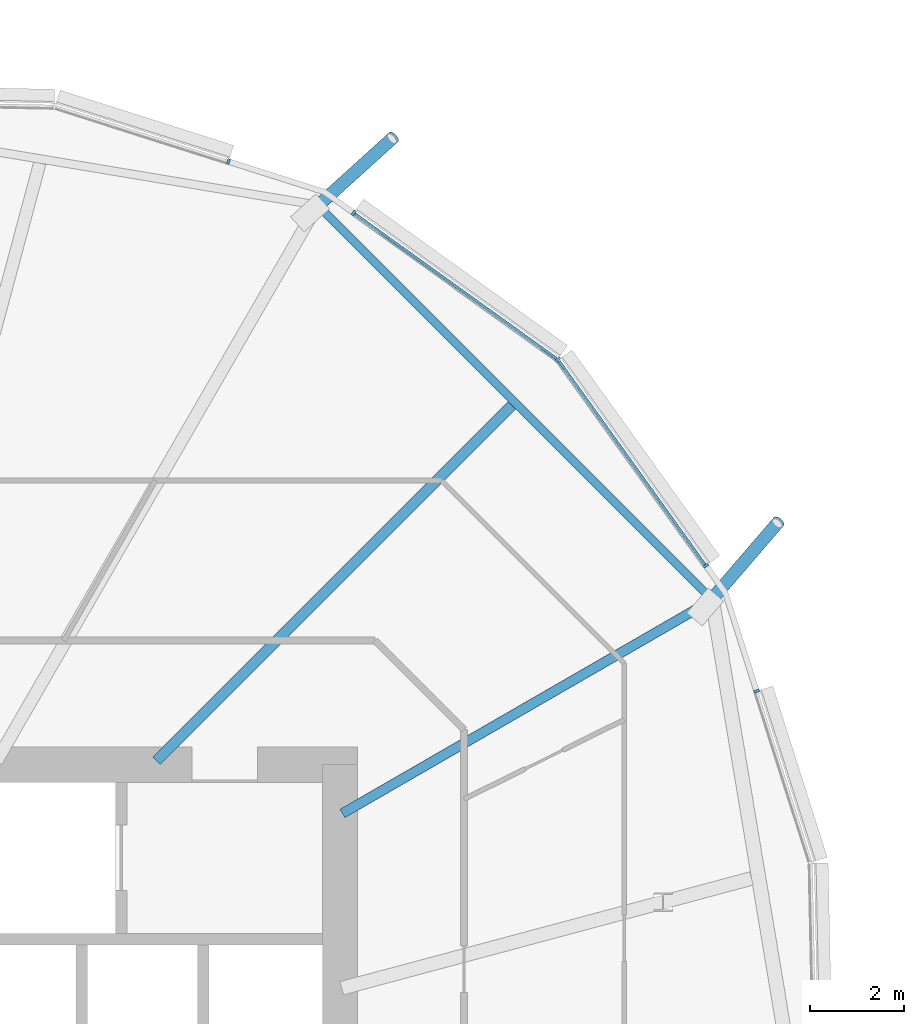
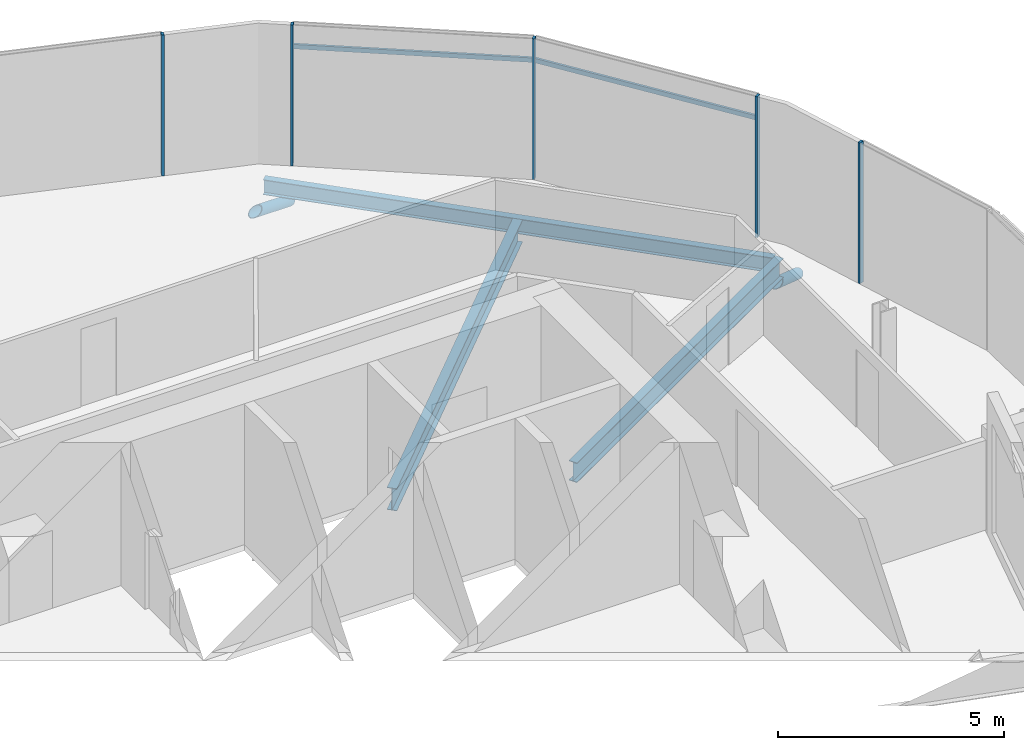
# One storey, part 18 of 39: 9 members, 3 beams, 1 element without a shape of its own.
"""IFC4 building model written with IfcOpenShell, lengths in metres."""

from ifc_helpers import new_model, si_unit, direction, frame, origin, origin_2d, place, context, subcontext, project, spatial, rectangle, hollow_circle, i_section, extrude, clip, halfspace, material, material_profile, profile_set, type_object, element, aggregate, save


model = new_model("IFC4")

# Units and contexts
model_context = context("Model", 3, precision=1e-05, world=origin(), true_north=direction((0.0, 1.0)))
body_context = subcontext(model_context, "Body", "Model", "MODEL_VIEW")
ifc_project = project(units=[si_unit("LENGTHUNIT", "METRE"), si_unit("AREAUNIT", "SQUARE_METRE"), si_unit("VOLUMEUNIT", "CUBIC_METRE"), si_unit("PLANEANGLEUNIT", "RADIAN"), si_unit("MASSUNIT", "GRAM", prefix="KILO")], contexts=[model_context])

# Site, building, storey
site_placement = place(None, origin())
site = spatial("IfcSite", under=ifc_project, at=site_placement, CompositionType="ELEMENT")
building_placement = place(site_placement, origin())
building = spatial("IfcBuilding", under=site, at=building_placement, Name="Rimbun Link Towers", CompositionType="ELEMENT")
storey_placement = place(building_placement, frame((0.0, 0.0, 96.800048828125)))
storey = spatial("IfcBuildingStorey", under=building, at=storey_placement, Name="L23", CompositionType="ELEMENT", Elevation=96.800048828125)

# Curtain wall, members
ifc_material_1 = material(Name="Aluminium 6063-T6 and low-iron glass", Category="aluminium")
curtain_wall_type = type_object("IfcCurtainWallType", Name="CW1-Z2 unitised vision wall (zone 2)", PredefinedType="NOTDEFINED", material=ifc_material_1)
curtain_wall_placement = place(storey_placement, origin())
curtain_wall = element("IfcCurtainWall", 1, at=curtain_wall_placement, inside=storey, type_object=curtain_wall_type, Name="CW1 L23 T2", PredefinedType="NOTDEFINED")
ifc_material_2 = material(Name="Aluminium 6063-T6", Category="aluminium")
ifc_material_profile_1 = material_profile(ifc_material_2, rectangle(XDim=0.1201171875, YDim=0.06005859375, at=origin_2d()), Name="MULLION 60X120")
ifc_profile_set_1 = profile_set([ifc_material_profile_1], Name="Aluminium 6063-T6")
member_type_1 = type_object("IfcMemberType", Name="CW1 mullion 60X120", PredefinedType="MULLION", material=ifc_profile_set_1)
member_1_placement = place(storey_placement, frame((44.042724609375, 19.787109375, 0.0), z_axis=(0.0, 0.0, 1.0), x_axis=(0.583001588402, 0.812471013588, 0.0)))
member_1 = element("IfcMember", 2, at=member_1_placement, type_object=member_type_1, Name="CW1 mullion", PredefinedType="MULLION", context=body_context, shape_type="SweptSolid", body=[
    extrude(rectangle(XDim=0.1201171875, YDim=0.06005859375, at=origin_2d()), origin(), (0.0, 0.0, 1.0), 3.800048828125),
])
member_2_placement = place(storey_placement, frame((48.405517578125, 16.655517578125, 0.0), z_axis=(0.0, 0.0, 1.0), x_axis=(0.707106781187, 0.707106781187, 0.0)))
member_2 = element("IfcMember", 3, at=member_2_placement, type_object=member_type_1, Name="CW1 mullion", PredefinedType="MULLION", context=body_context, shape_type="SweptSolid", body=[
    extrude(rectangle(XDim=0.1201171875, YDim=0.06005859375, at=origin_2d()), origin(), (0.0, 0.0, 1.0), 3.800048828125),
])
member_3_placement = place(storey_placement, frame((41.36767578125, 20.88427734375, 0.0), z_axis=(0.0, 0.0, 1.0), x_axis=(0.30306620433, 0.952969504125, 0.0)))
member_3 = element("IfcMember", 4, at=member_3_placement, type_object=member_type_1, Name="CW1 mullion", PredefinedType="MULLION", context=body_context, shape_type="SweptSolid", body=[
    extrude(rectangle(XDim=0.1201171875, YDim=0.06005859375, at=origin_2d()), origin(), (0.0, 0.0, 1.0), 3.800048828125),
])
member_4_placement = place(storey_placement, frame((52.6494140625, 9.570068359375, 0.0), z_axis=(0.0, 0.0, 1.0), x_axis=(0.952969504125, 0.30306620433, 0.0)))
member_4 = element("IfcMember", 5, at=member_4_placement, type_object=member_type_1, Name="CW1 mullion", PredefinedType="MULLION", context=body_context, shape_type="SweptSolid", body=[
    extrude(rectangle(XDim=0.1201171875, YDim=0.06005859375, at=origin_2d()), origin(), (0.0, 0.0, 1.0), 3.800048828125),
])
member_5_placement = place(storey_placement, frame((51.566162109375, 12.251953125, 0.0), z_axis=(0.0, 0.0, 1.0), x_axis=(0.812471013588, 0.583001588402, 0.0)))
member_5 = element("IfcMember", 6, at=member_5_placement, type_object=member_type_1, Name="CW1 mullion", PredefinedType="MULLION", context=body_context, shape_type="SweptSolid", body=[
    extrude(rectangle(XDim=0.1201171875, YDim=0.06005859375, at=origin_2d()), origin(), (0.0, 0.0, 1.0), 3.800048828125),
])
ifc_material_3 = material(Name="Aluminium 6063-T6", Category="aluminium")
ifc_material_profile_2 = material_profile(ifc_material_3, rectangle(XDim=0.06005859375, YDim=0.1201171875, at=origin_2d()), Name="TRANSOM 60X120")
ifc_profile_set_2 = profile_set([ifc_material_profile_2], Name="Aluminium 6063-T6")
member_type_2 = type_object("IfcMemberType", Name="CW1 transom 60X120", PredefinedType="USERDEFINED", material=ifc_profile_set_2)
member_6_placement = place(storey_placement, frame((44.06591796875, 19.767822265625, 3.199951171875), z_axis=(0.812489874561, -0.582975302852, 0.0), x_axis=(0.582975302852, 0.812489874561, 0.0)))
member_6 = element("IfcMember", 7, at=member_6_placement, type_object=member_type_2, Name="CW1 transom", ObjectType="TRANSOM", PredefinedType="USERDEFINED", context=body_context, shape_type="SweptSolid", body=[
    extrude(rectangle(XDim=0.06005859375, YDim=0.1201171875, at=origin_2d()), origin(), (0.0, 0.0, 1.0), 5.300537109375),
])
member_7_placement = place(storey_placement, frame((48.427734375, 16.62255859375, 3.199951171875), z_axis=(0.58298056367, -0.812486099809, 0.0), x_axis=(0.812486099809, 0.58298056367, 0.0)))
member_7 = element("IfcMember", 8, at=member_7_placement, type_object=member_type_2, Name="CW1 transom", ObjectType="TRANSOM", PredefinedType="USERDEFINED", context=body_context, shape_type="SweptSolid", body=[
    extrude(rectangle(XDim=0.06005859375, YDim=0.1201171875, at=origin_2d()), origin(), (0.0, 0.0, 1.0), 5.350830078125),
])
aggregate(curtain_wall, [member_1, member_2, member_3, member_4, member_5, member_6, member_7])

# Members
ifc_material_4 = material(Name="Steel S355J2H", Category="steel")
ifc_material_profile_3 = material_profile(ifc_material_4, hollow_circle(Radius=0.136474609375, WallThickness=0.012451171875, at=origin_2d()), Name="CHS 273x12.5")
ifc_profile_set_3 = profile_set([ifc_material_profile_3], Name="Steel S355J2H")
member_type_3 = type_object("IfcMemberType", Name="Floor edge link CHS 273x12.5", PredefinedType="BRACE", material=ifc_profile_set_3)
member_8_placement = place(storey_placement, frame((43.245361328125, 19.910400390625, -1.041748046875), z_axis=(0.65106962362, 0.589911456313, -0.477611577446), x_axis=(-0.671444183673, 0.741055131695, 0.0)))
element("IfcMember", 9, at=member_8_placement, inside=storey, type_object=member_type_3, Name="Floor edge link T2 L23 01", PredefinedType="BRACE", context=body_context, shape_type="Clipping", body=[
    clip(extrude(hollow_circle(Radius=0.136474609375, WallThickness=0.012451171875, at=origin_2d()), frame((0.0, 0.0, -0.523193359375)), (0.0, 0.0, 1.0), 3.05810546875), halfspace(frame((0.0, 0.0, -0.24609375), z_axis=(0.0, 0.878571101898, -0.477611577446)), False)),
])
member_9_placement = place(storey_placement, frame((51.660400390625, 11.495361328125, -0.810546875), z_axis=(0.562837341825, 0.653887322498, -0.505613979359), x_axis=(-0.757901919763, 0.652368515503, 0.0)))
element("IfcMember", 10, at=member_9_placement, inside=storey, type_object=member_type_3, Name="Floor edge link T2 L23 23", PredefinedType="BRACE", context=body_context, shape_type="Clipping", body=[
    clip(extrude(hollow_circle(Radius=0.136474609375, WallThickness=0.012451171875, at=origin_2d()), frame((0.0, 0.0, -0.485595703125)), (0.0, 0.0, 1.0), 3.083984375), halfspace(frame((0.0, 0.0, -0.228271484375), z_axis=(0.0, 0.862759818186, -0.505613979359)), False)),
])

# Beams
ifc_material_5 = material(Name="Steel S355J2", Category="steel")
ifc_material_profile_4 = material_profile(ifc_material_5, i_section(OverallWidth=0.177978515625, OverallDepth=0.406494140625, WebThickness=0.0078125, FlangeThickness=0.0126953125, at=origin_2d()), Name="UB 406x178x60")
ifc_profile_set_4 = profile_set([ifc_material_profile_4], Name="Steel S355J2")
beam_type_1 = type_object("IfcBeamType", Name="UB 406x178x60", PredefinedType="BEAM", material=ifc_profile_set_4)
beam_1_placement = place(storey_placement, frame((51.62646484375, 11.59765625, -0.36328125), z_axis=(-0.707106781187, 0.707106781187, 0.0), x_axis=(-0.707106781187, -0.707106781187, 0.0)))
element("IfcBeam", 11, at=beam_1_placement, inside=storey, type_object=beam_type_1, Name="Edge beam T2 L23 23-01", PredefinedType="BEAM", context=body_context, shape_type="SweptSolid", body=[
    extrude(i_section(OverallWidth=0.177978515625, OverallDepth=0.406494140625, WebThickness=0.0078125, FlangeThickness=0.0126953125, at=origin_2d()), origin(), (0.0, 0.0, 1.0), 11.67822265625),
])
ifc_material_6 = material(Name="Steel S355J2", Category="steel")
ifc_material_profile_5 = material_profile(ifc_material_6, i_section(OverallWidth=0.209228515625, OverallDepth=0.533203125, WebThickness=0.010009765625, FlangeThickness=0.015625, at=origin_2d()), Name="UB 533x210x92")
ifc_profile_set_5 = profile_set([ifc_material_profile_5], Name="Steel S355J2")
beam_type_2 = type_object("IfcBeamType", Name="UB 533x210x92", PredefinedType="BEAM", material=ifc_profile_set_5)
beam_2_placement = place(storey_placement, frame((43.80322265625, 6.958984375, -0.426513671875), z_axis=(0.866021140091, 0.50000738486, 0.0), x_axis=(-0.50000738486, 0.866021140091, 0.0)))
element("IfcBeam", 12, at=beam_2_placement, inside=storey, type_object=beam_type_2, Name="Radial beam T2 L23 23", PredefinedType="BEAM", context=body_context, shape_type="SweptSolid", body=[
    extrude(i_section(OverallWidth=0.209228515625, OverallDepth=0.533203125, WebThickness=0.010009765625, FlangeThickness=0.015625, at=origin_2d()), origin(), (0.0, 0.0, 1.0), 9.122802734375),
])
ifc_material_7 = material(Name="Steel S355J2", Category="steel")
ifc_material_profile_6 = material_profile(ifc_material_7, i_section(OverallWidth=0.2275390625, OverallDepth=0.6025390625, WebThickness=0.010498046875, FlangeThickness=0.014892578125, at=origin_2d()), Name="UB 610x229x101")
ifc_profile_set_6 = profile_set([ifc_material_profile_6], Name="Steel S355J2")
beam_type_3 = type_object("IfcBeamType", Name="UB 610x229x101", PredefinedType="BEAM", material=ifc_profile_set_6)
beam_3_placement = place(storey_placement, frame((39.831298828125, 8.081298828125, -0.46142578125), z_axis=(0.707106781187, 0.707106781187, 0.0), x_axis=(-0.707106781187, 0.707106781187, 0.0)))
element("IfcBeam", 13, at=beam_3_placement, inside=storey, type_object=beam_type_3, Name="Radial beam T2 L23 00", PredefinedType="BEAM", context=body_context, shape_type="SweptSolid", body=[
    extrude(i_section(OverallWidth=0.2275390625, OverallDepth=0.6025390625, WebThickness=0.010498046875, FlangeThickness=0.014892578125, at=origin_2d()), origin(), (0.0, 0.0, 1.0), 10.737060546875),
])

save(model, "model.ifc")
